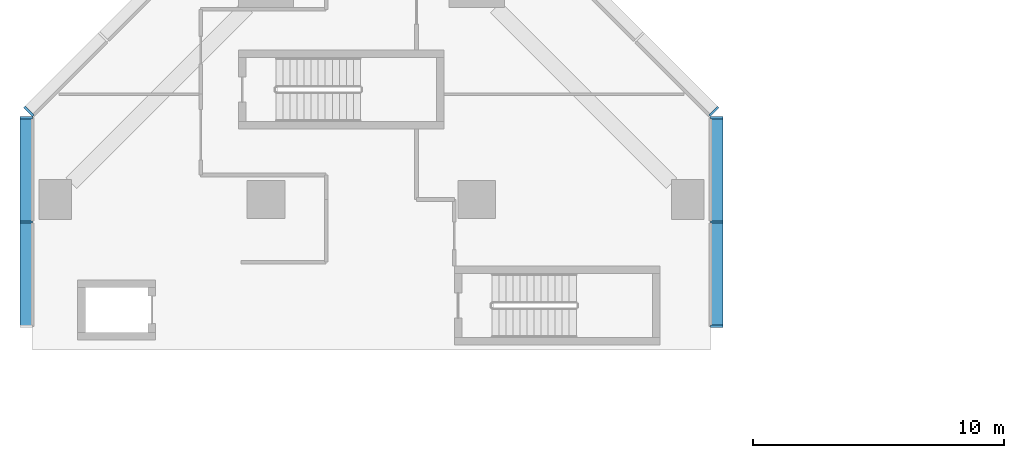
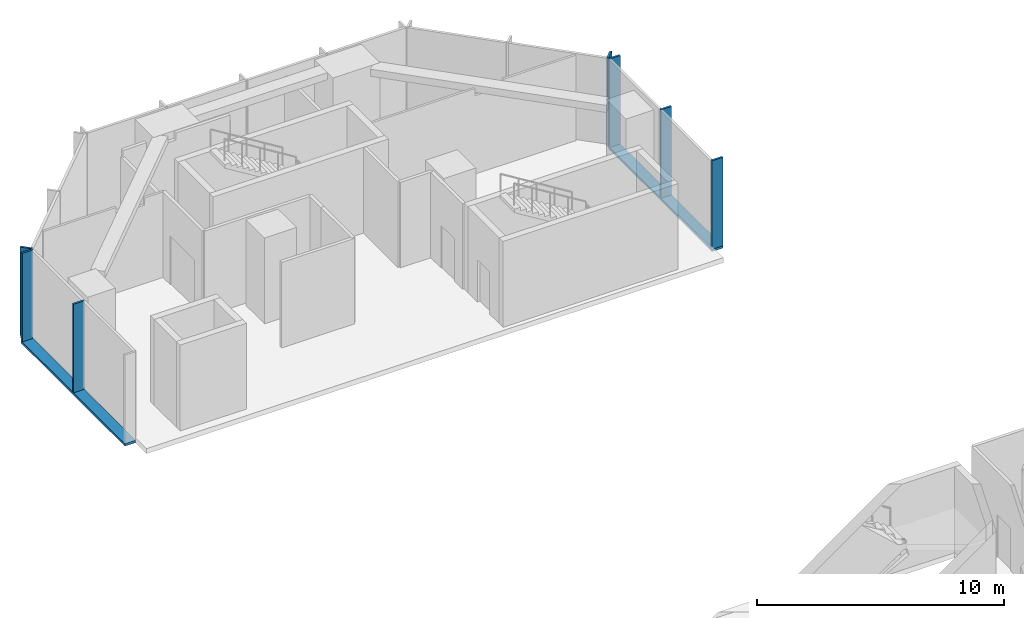
# One storey, part 4 of 18: 9 members, 4 elements without a shape of their own.
"""IFC4 building model written with IfcOpenShell, lengths in metres."""

from ifc_helpers import new_model, si_unit, direction, frame, origin, origin_2d, place, context, subcontext, project, spatial, rectangle, extrude, material, material_profile, profile_set, type_object, element, aggregate, save


model = new_model("IFC4")

# Units and contexts
model_context = context("Model", 3, precision=1e-05, world=origin(), true_north=direction((0.0, 1.0)))
body_context = subcontext(model_context, "Body", "Model", "MODEL_VIEW")
ifc_project = project(units=[si_unit("LENGTHUNIT", "METRE"), si_unit("AREAUNIT", "SQUARE_METRE"), si_unit("VOLUMEUNIT", "CUBIC_METRE"), si_unit("PLANEANGLEUNIT", "RADIAN"), si_unit("MASSUNIT", "GRAM", prefix="KILO")], contexts=[model_context])

# Site, building, storey
site_placement = place(None, origin())
site = spatial("IfcSite", under=ifc_project, at=site_placement, CompositionType="ELEMENT")
building_placement = place(site_placement, origin())
building = spatial("IfcBuilding", under=site, at=building_placement, Name="Brevane Broadcast Tower", CompositionType="ELEMENT")
storey_placement = place(building_placement, frame((0.0, 0.0, 27.5)))
storey = spatial("IfcBuildingStorey", under=building, at=storey_placement, Name="L04", CompositionType="ELEMENT", Elevation=27.5)

# Curtain wall, members
ifc_material = material(Name="Aluminium 6063-T6 bronze anodised", Category="aluminium")
curtain_wall_type = type_object("IfcCurtainWallType", Name="CW-2 curtain wall", PredefinedType="NOTDEFINED", material=ifc_material)
curtain_wall_1_placement = place(storey_placement, origin())
curtain_wall_1 = element("IfcCurtainWall", 1, at=curtain_wall_1_placement, inside=storey, type_object=curtain_wall_type, Name="CW-2 podium base unit L04 north arm east face", PredefinedType="NOTDEFINED")
ifc_material_profile_1 = material_profile(ifc_material, rectangle(XDim=0.5, YDim=0.090087890625, at=origin_2d()), Name="RECT 90x500")
ifc_profile_set_1 = profile_set([ifc_material_profile_1], Name="Aluminium 6063-T6 bronze anodised")
member_type_1 = type_object("IfcMemberType", Name="CW-2 mullion 90x500", PredefinedType="MULLION", material=ifc_profile_set_1)
member_1_placement = place(storey_placement, frame((26.35009765625, 53.7451171875, -0.1298828125), z_axis=(0.0, 0.0, 1.0), x_axis=(-1.0, 0.0, 0.0)))
member_1 = element("IfcMember", 2, at=member_1_placement, type_object=member_type_1, Name="CW-2 mullion", PredefinedType="MULLION", context=body_context, shape_type="SweptSolid", body=[
    extrude(rectangle(XDim=0.5, YDim=0.090087890625, at=origin_2d()), origin(), (0.0, 0.0, 1.0), 4.3798828125),
])
member_2_placement = place(storey_placement, frame((26.35009765625, 57.89990234375, -0.1298828125), z_axis=(0.0, 0.0, 1.0), x_axis=(-1.0, 0.0, 0.0)))
member_2 = element("IfcMember", 3, at=member_2_placement, type_object=member_type_1, Name="CW-2 mullion", PredefinedType="MULLION", context=body_context, shape_type="SweptSolid", body=[
    extrude(rectangle(XDim=0.5, YDim=0.090087890625, at=origin_2d()), origin(), (0.0, 0.0, 1.0), 4.3798828125),
])
member_3_placement = place(storey_placement, frame((26.35009765625, 62.054931640625, -0.1298828125), z_axis=(0.0, 0.0, 1.0), x_axis=(-1.0, 0.0, 0.0)))
member_3 = element("IfcMember", 4, at=member_3_placement, type_object=member_type_1, Name="CW-2 mullion", PredefinedType="MULLION", context=body_context, shape_type="SweptSolid", body=[
    extrude(rectangle(XDim=0.5, YDim=0.090087890625, at=origin_2d()), origin(), (0.0, 0.0, 1.0), 4.3798828125),
])

# Curtain wall, member
curtain_wall_2_placement = place(storey_placement, origin())
curtain_wall_2 = element("IfcCurtainWall", 5, at=curtain_wall_2_placement, inside=storey, type_object=curtain_wall_type, Name="CW-2 podium base unit L04 north arm north-east chamfer", PredefinedType="NOTDEFINED")
member_4_placement = place(storey_placement, frame((26.244873046875, 62.30859375, -0.1298828125), z_axis=(0.0, 0.0, 1.0), x_axis=(-0.707106781187, -0.707106781187, 0.0)))
member_4 = element("IfcMember", 6, at=member_4_placement, type_object=member_type_1, Name="CW-2 mullion", PredefinedType="MULLION", context=body_context, shape_type="SweptSolid", body=[
    extrude(rectangle(XDim=0.5, YDim=0.090087890625, at=origin_2d()), origin(), (0.0, 0.0, 1.0), 4.3798828125),
])
aggregate(curtain_wall_2, [member_4])

curtain_wall_3_placement = place(storey_placement, origin())
curtain_wall_3 = element("IfcCurtainWall", 7, at=curtain_wall_3_placement, inside=storey, type_object=curtain_wall_type, Name="CW-2 podium base unit L04 north-west chamfer", PredefinedType="NOTDEFINED")
member_5_placement = place(storey_placement, frame((-1.044921875, 62.30859375, -0.1298828125), z_axis=(0.0, 0.0, 1.0), x_axis=(0.707106781187, -0.707106781187, 0.0)))
member_5 = element("IfcMember", 8, at=member_5_placement, type_object=member_type_1, Name="CW-2 mullion", PredefinedType="MULLION", context=body_context, shape_type="SweptSolid", body=[
    extrude(rectangle(XDim=0.5, YDim=0.090087890625, at=origin_2d()), origin(), (0.0, 0.0, 1.0), 4.3798828125),
])
aggregate(curtain_wall_3, [member_5])

# Curtain wall, members
curtain_wall_4_placement = place(storey_placement, origin())
curtain_wall_4 = element("IfcCurtainWall", 9, at=curtain_wall_4_placement, inside=storey, type_object=curtain_wall_type, Name="CW-2 podium base unit L04 west face", PredefinedType="NOTDEFINED")
member_6_placement = place(storey_placement, frame((-1.14990234375, 62.054931640625, -0.1298828125), z_axis=(0.0, 0.0, 1.0), x_axis=(1.0, 0.0, 0.0)))
member_6 = element("IfcMember", 10, at=member_6_placement, type_object=member_type_1, Name="CW-2 mullion", PredefinedType="MULLION", context=body_context, shape_type="SweptSolid", body=[
    extrude(rectangle(XDim=0.5, YDim=0.090087890625, at=origin_2d()), origin(), (0.0, 0.0, 1.0), 4.3798828125),
])
member_7_placement = place(storey_placement, frame((-1.14990234375, 57.89990234375, -0.1298828125), z_axis=(0.0, 0.0, 1.0), x_axis=(1.0, 0.0, 0.0)))
member_7 = element("IfcMember", 11, at=member_7_placement, type_object=member_type_1, Name="CW-2 mullion", PredefinedType="MULLION", context=body_context, shape_type="SweptSolid", body=[
    extrude(rectangle(XDim=0.5, YDim=0.090087890625, at=origin_2d()), origin(), (0.0, 0.0, 1.0), 4.3798828125),
])

# Member
ifc_material_profile_2 = material_profile(ifc_material, rectangle(XDim=0.5, YDim=0.1201171875, at=origin_2d()), Name="RECT 120x500")
ifc_profile_set_2 = profile_set([ifc_material_profile_2], Name="Aluminium 6063-T6 bronze anodised")
member_type_2 = type_object("IfcMemberType", Name="CW-2 transom 120x500", PredefinedType="USERDEFINED", material=ifc_profile_set_2)
member_8_placement = place(storey_placement, frame((26.35009765625, 53.699951171875, -0.18994140625), z_axis=(0.0, 1.0, 0.0), x_axis=(-1.0, 0.0, 0.0)))
member_8 = element("IfcMember", 12, at=member_8_placement, type_object=member_type_2, Name="CW-2 transom", ObjectType="TRANSOM", PredefinedType="USERDEFINED", context=body_context, shape_type="SweptSolid", body=[
    extrude(rectangle(XDim=0.5, YDim=0.1201171875, at=origin_2d()), origin(), (0.0, 0.0, 1.0), 8.400146484375),
])

aggregate(curtain_wall_1, [member_1, member_2, member_3, member_8])

member_9_placement = place(storey_placement, frame((-1.14990234375, 62.10009765625, -0.18994140625), z_axis=(0.0, -1.0, 0.0), x_axis=(1.0, 0.0, 0.0)))
member_9 = element("IfcMember", 13, at=member_9_placement, type_object=member_type_2, Name="CW-2 transom", ObjectType="TRANSOM", PredefinedType="USERDEFINED", context=body_context, shape_type="SweptSolid", body=[
    extrude(rectangle(XDim=0.5, YDim=0.1201171875, at=origin_2d()), origin(), (0.0, 0.0, 1.0), 8.400146484375),
])

aggregate(curtain_wall_4, [member_6, member_7, member_9])

save(model, "model.ifc")
